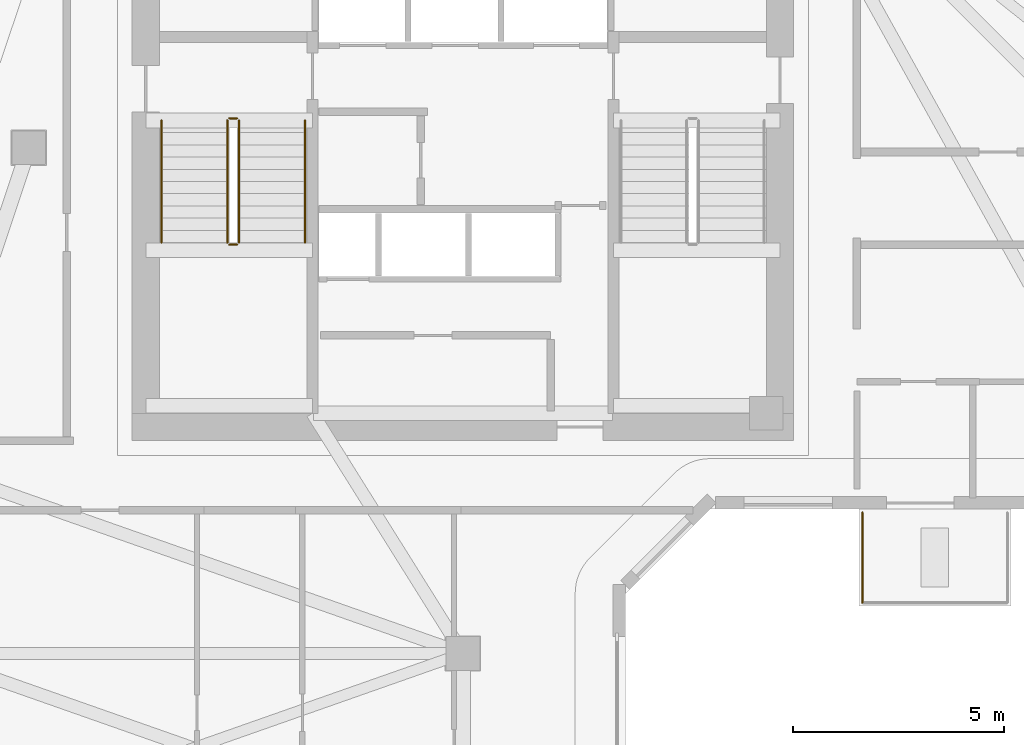
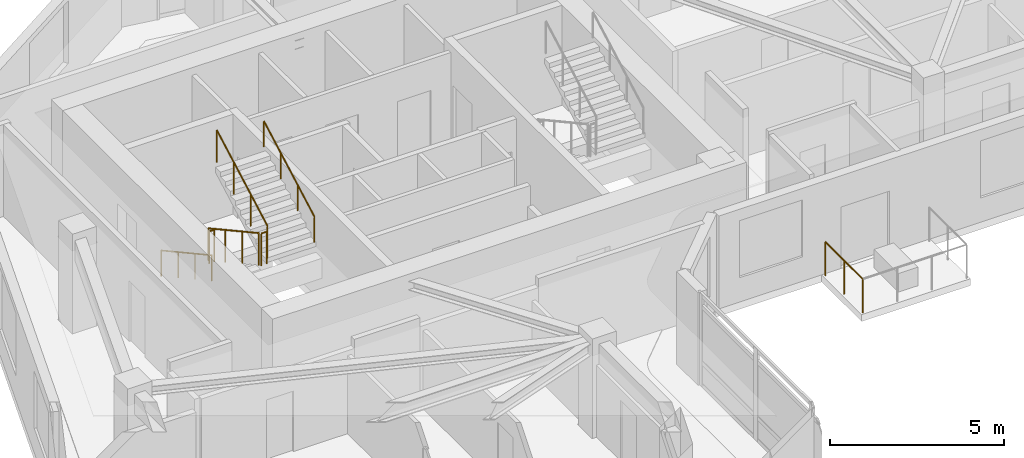
# One storey, part 9 of 11: 7 railings.
"""IFC4 building model written with IfcOpenShell, lengths in metres."""

from ifc_helpers import new_model, si_unit, direction, frame, origin, origin_2d, place, context, subcontext, project, spatial, circle, extrude, material, type_object, element, save


model = new_model("IFC4")

# Units and contexts
model_context = context("Model", 3, precision=1e-05, world=origin(), true_north=direction((0.0, 1.0)))
body_context = subcontext(model_context, "Body", "Model", "MODEL_VIEW")
ifc_project = project(units=[si_unit("LENGTHUNIT", "METRE"), si_unit("AREAUNIT", "SQUARE_METRE"), si_unit("VOLUMEUNIT", "CUBIC_METRE"), si_unit("PLANEANGLEUNIT", "RADIAN"), si_unit("MASSUNIT", "GRAM", prefix="KILO")], contexts=[model_context])

# Site, building, storey
site_placement = place(None, origin())
site = spatial("IfcSite", under=ifc_project, at=site_placement, CompositionType="ELEMENT")
building_placement = place(site_placement, origin())
building = spatial("IfcBuilding", under=site, at=building_placement, Name="Calvemar Wedge Station Tower", CompositionType="ELEMENT")
storey_placement = place(building_placement, frame((0.0, 0.0, 190.39990234375)))
storey = spatial("IfcBuildingStorey", under=building, at=storey_placement, Name="L47", CompositionType="ELEMENT", Elevation=190.39990234375)

# Railings
ifc_material_1 = material(Name="Stainless steel AISI 316L", Category="steel")
railing_type_1 = type_object("IfcRailingType", Name="GRD-TERR-1200", PredefinedType="GUARDRAIL", material=ifc_material_1)
railing_1_placement = place(storey_placement, frame((33.280029296875, 29.7041015625, 0.0)))
element("IfcRailing", 1, at=railing_1_placement, inside=storey, type_object=railing_type_1, Name="Storey L47 Spiral Terrace Guard 4", PredefinedType="GUARDRAIL", context=body_context, shape_type="SweptSolid", body=[
    extrude(circle(Radius=0.02392578125, at=origin_2d()), frame((0.0, 0.0, 1.17578125), z_axis=(0.0, 1.0, 0.0), x_axis=(-1.0, 0.0, 0.0)), (0.0, 0.0, 1.0), 2.139892578125),
    extrude(circle(Radius=0.02099609375, at=origin_2d()), origin(), (0.0, 0.0, 1.0), 1.15185546875),
    extrude(circle(Radius=0.02099609375, at=origin_2d()), frame((0.0, 1.06982421875, 0.0)), (0.0, 0.0, 1.0), 1.15185546875),
    extrude(circle(Radius=0.02099609375, at=origin_2d()), frame((0.0, 2.139892578125, 0.0)), (0.0, 0.0, 1.0), 1.15185546875),
])
railing_type_2 = type_object("IfcRailingType", Name="RL-HANDRAIL-920", PredefinedType="HANDRAIL", material=ifc_material_1)
railing_2_placement = place(storey_placement, frame((16.64990234375, 41.14990234375, 0.1591796875)))
element("IfcRailing", 2, at=railing_2_placement, inside=storey, type_object=railing_type_2, Name="L47 ST-C1 stair handrail 1", PredefinedType="HANDRAIL", context=body_context, shape_type="SweptSolid", body=[
    extrude(circle(Radius=0.02392578125, at=origin_2d()), frame((0.0, 0.0, 0.89599609375), z_axis=(0.0, -0.876742130028, 0.480960744171), x_axis=(1.0, 0.0, 0.0)), (0.0, 0.0, 1.0), 3.3076171875),
    extrude(circle(Radius=0.02099609375, at=origin_2d()), origin(), (0.0, 0.0, 1.0), 0.871826171875),
    extrude(circle(Radius=0.02099609375, at=origin_2d()), frame((0.0, -0.966552734375, 0.5302734375)), (0.0, 0.0, 1.0), 0.871826171875),
    extrude(circle(Radius=0.02099609375, at=origin_2d()), frame((0.0, -1.933349609375, 1.060546875)), (0.0, 0.0, 1.0), 0.871826171875),
    extrude(circle(Radius=0.02099609375, at=origin_2d()), frame((0.0, -2.89990234375, 1.5908203125)), (0.0, 0.0, 1.0), 0.871826171875),
])
railing_3_placement = place(storey_placement, frame((20.050048828125, 38.25, 1.9091796875)))
element("IfcRailing", 3, at=railing_3_placement, inside=storey, type_object=railing_type_2, Name="L47 ST-C1 stair handrail 2", PredefinedType="HANDRAIL", context=body_context, shape_type="SweptSolid", body=[
    extrude(circle(Radius=0.02392578125, at=origin_2d()), frame((0.0, 0.0, 0.89599609375), z_axis=(0.0, 0.876742130028, 0.480960744171), x_axis=(-1.0, 0.0, 0.0)), (0.0, 0.0, 1.0), 3.3076171875),
    extrude(circle(Radius=0.02099609375, at=origin_2d()), origin(), (0.0, 0.0, 1.0), 0.871826171875),
    extrude(circle(Radius=0.02099609375, at=origin_2d()), frame((0.0, 0.966552734375, 0.5302734375)), (0.0, 0.0, 1.0), 0.871826171875),
    extrude(circle(Radius=0.02099609375, at=origin_2d()), frame((0.0, 1.933349609375, 1.060546875)), (0.0, 0.0, 1.0), 0.871826171875),
    extrude(circle(Radius=0.02099609375, at=origin_2d()), frame((0.0, 2.89990234375, 1.5908203125)), (0.0, 0.0, 1.0), 0.871826171875),
])
ifc_material_2 = material(Name="Painted steel guardrail ASTM A500 Grade C", Category="steel")
railing_type_3 = type_object("IfcRailingType", Name="RL-STAIR-GUARD-1150", PredefinedType="GUARDRAIL", material=ifc_material_2)
railing_4_placement = place(storey_placement, frame((18.2099609375, 41.14990234375, 0.1591796875)))
element("IfcRailing", 4, at=railing_4_placement, inside=storey, type_object=railing_type_3, Name="L47 ST-C1 stair guard 1", PredefinedType="GUARDRAIL", context=body_context, shape_type="SweptSolid", body=[
    extrude(circle(Radius=0.02392578125, at=origin_2d()), frame((0.0, 0.0, 1.1259765625), z_axis=(0.0, -0.876742130028, 0.480960744171), x_axis=(1.0, 0.0, 0.0)), (0.0, 0.0, 1.0), 3.3076171875),
    extrude(circle(Radius=0.02099609375, at=origin_2d()), origin(), (0.0, 0.0, 1.0), 1.101806640625),
    extrude(circle(Radius=0.02099609375, at=origin_2d()), frame((0.0, -0.966552734375, 0.5302734375)), (0.0, 0.0, 1.0), 1.101806640625),
    extrude(circle(Radius=0.02099609375, at=origin_2d()), frame((0.0, -1.933349609375, 1.060546875)), (0.0, 0.0, 1.0), 1.101806640625),
    extrude(circle(Radius=0.02099609375, at=origin_2d()), frame((0.0, -2.89990234375, 1.5908203125)), (0.0, 0.0, 1.0), 1.101806640625),
])
railing_5_placement = place(storey_placement, frame((18.260009765625, 38.199951171875, 1.75)))
element("IfcRailing", 5, at=railing_5_placement, inside=storey, type_object=railing_type_3, Name="L47 ST-C1 stair guard 2", PredefinedType="GUARDRAIL", context=body_context, shape_type="SweptSolid", body=[
    extrude(circle(Radius=0.02392578125, at=origin_2d()), frame((0.0, 0.0, 1.1259765625), z_axis=(1.0, 0.0, 0.0), x_axis=(0.0, 1.0, 0.0)), (0.0, 0.0, 1.0), 0.179931640625),
    extrude(circle(Radius=0.02099609375, at=origin_2d()), origin(), (0.0, 0.0, 1.0), 1.101806640625),
    extrude(circle(Radius=0.02099609375, at=origin_2d()), frame((0.179931640625, 0.0, 0.0)), (0.0, 0.0, 1.0), 1.101806640625),
])
railing_6_placement = place(storey_placement, frame((18.489990234375, 38.25, 1.9091796875)))
element("IfcRailing", 6, at=railing_6_placement, inside=storey, type_object=railing_type_3, Name="L47 ST-C1 stair guard 3", PredefinedType="GUARDRAIL", context=body_context, shape_type="SweptSolid", body=[
    extrude(circle(Radius=0.02392578125, at=origin_2d()), frame((0.0, 0.0, 1.1259765625), z_axis=(0.0, 0.876742130028, 0.480960744171), x_axis=(-1.0, 0.0, 0.0)), (0.0, 0.0, 1.0), 3.3076171875),
    extrude(circle(Radius=0.02099609375, at=origin_2d()), origin(), (0.0, 0.0, 1.0), 1.101806640625),
    extrude(circle(Radius=0.02099609375, at=origin_2d()), frame((0.0, 0.966552734375, 0.5302734375)), (0.0, 0.0, 1.0), 1.101806640625),
    extrude(circle(Radius=0.02099609375, at=origin_2d()), frame((0.0, 1.933349609375, 1.060546875)), (0.0, 0.0, 1.0), 1.101806640625),
    extrude(circle(Radius=0.02099609375, at=origin_2d()), frame((0.0, 2.89990234375, 1.5908203125)), (0.0, 0.0, 1.0), 1.101806640625),
])
railing_7_placement = place(storey_placement, frame((18.260009765625, 41.199951171875, 0.0)))
element("IfcRailing", 7, at=railing_7_placement, inside=storey, type_object=railing_type_3, Name="L47 ST-C1 stair guard 4", PredefinedType="GUARDRAIL", context=body_context, shape_type="SweptSolid", body=[
    extrude(circle(Radius=0.02392578125, at=origin_2d()), frame((0.0, 0.0, 1.1259765625), z_axis=(1.0, 0.0, 0.0), x_axis=(0.0, 1.0, 0.0)), (0.0, 0.0, 1.0), 0.179931640625),
    extrude(circle(Radius=0.02099609375, at=origin_2d()), origin(), (0.0, 0.0, 1.0), 1.101806640625),
    extrude(circle(Radius=0.02099609375, at=origin_2d()), frame((0.179931640625, 0.0, 0.0)), (0.0, 0.0, 1.0), 1.101806640625),
])

save(model, "model.ifc")
